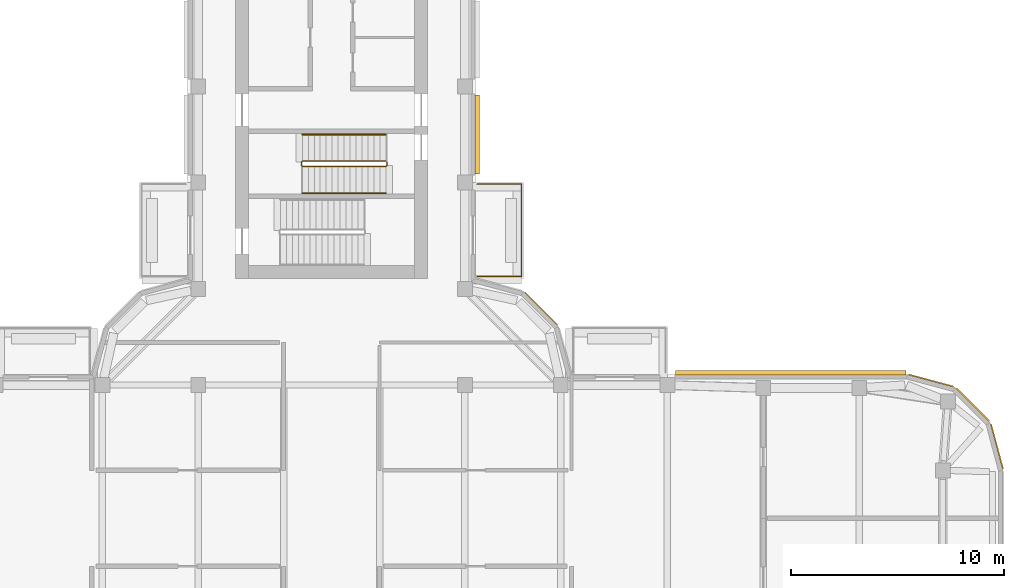
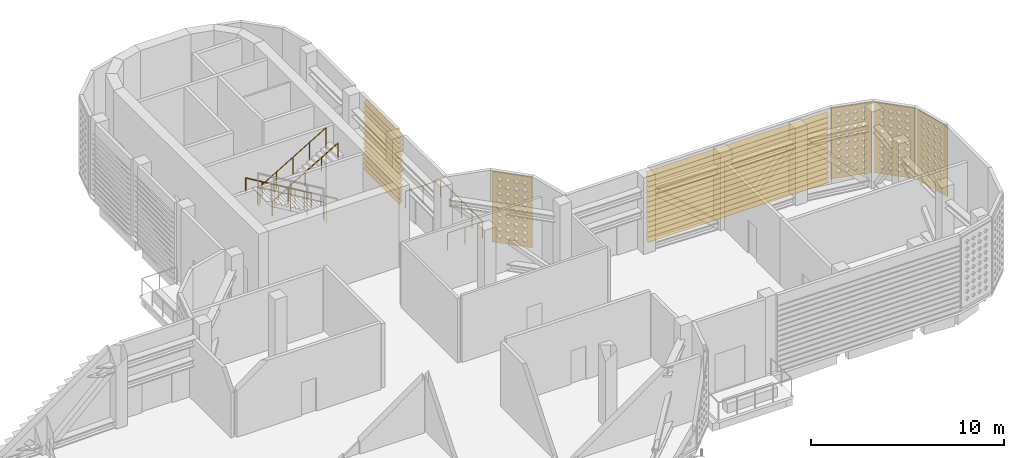
# One storey, part 18 of 20: 4 coverings, 4 railings, 2 shading devices.
"""IFC4 building model written with IfcOpenShell, lengths in metres."""

from ifc_helpers import new_model, si_unit, direction, frame, origin, origin_2d, place, context, subcontext, project, spatial, polyline, circle, outline, extrude, source, transform, mapped, material, layer, layer_set, type_object, element, save


model = new_model("IFC4")

# Units and contexts
model_context = context("Model", 3, precision=1e-05, world=origin(), true_north=direction((0.0, 1.0)))
body_context = subcontext(model_context, "Body", "Model", "MODEL_VIEW")
ifc_project = project(units=[si_unit("LENGTHUNIT", "METRE"), si_unit("AREAUNIT", "SQUARE_METRE"), si_unit("VOLUMEUNIT", "CUBIC_METRE"), si_unit("PLANEANGLEUNIT", "RADIAN"), si_unit("MASSUNIT", "GRAM", prefix="KILO")], contexts=[model_context])

# Site, building, storey
site_placement = place(None, origin())
site = spatial("IfcSite", under=ifc_project, at=site_placement, CompositionType="ELEMENT")
building_placement = place(site_placement, origin())
building = spatial("IfcBuilding", under=site, at=building_placement, Name="Zarbagh Exchange Tower", CompositionType="ELEMENT")
storey_placement = place(building_placement, frame((0.0, 0.0, 244.800048828125)))
storey = spatial("IfcBuildingStorey", under=building, at=storey_placement, Name="L60", CompositionType="ELEMENT", Elevation=244.800048828125)

# Railings
ifc_material_1 = material(Name="Stainless steel", Category="steel")
railing_type_1 = type_object("IfcRailingType", Name="Stair guard 1100 mm", PredefinedType="GUARDRAIL", material=ifc_material_1)
railing_1_placement = place(storey_placement, frame((2.550048828125, 16.75, 0.16650390625)))
element("IfcRailing", 1, at=railing_1_placement, inside=storey, type_object=railing_type_1, Name="ST1 stair guard 1", PredefinedType="GUARDRAIL", context=body_context, shape_type="SweptSolid", body=[
    extrude(circle(Radius=0.02392578125, at=origin_2d()), frame((0.0, 0.0, 1.076171875), z_axis=(-0.859286724212, 0.0, 0.511494208758), x_axis=(0.0, -1.0, 0.0)), (0.0, 0.0, 1.0), 4.56201171875),
    extrude(circle(Radius=0.02392578125, at=origin_2d()), frame((-3.920166015625, 0.0, 3.40966796875), z_axis=(-0.705375805398, -0.708833529934, 0.0), x_axis=(0.708833529934, -0.705375805398, 0.0)), (0.0, 0.0, 1.0), 0.070556640625),
    extrude(circle(Radius=0.02392578125, at=origin_2d()), frame((-3.969970703125, -0.050048828125, 3.40966796875), z_axis=(0.0, -1.0, 0.0), x_axis=(1.0, 0.0, 0.0)), (0.0, 0.0, 1.0), 0.14990234375),
    extrude(circle(Radius=0.02392578125, at=origin_2d()), frame((-3.969970703125, -0.199951171875, 3.40966796875), z_axis=(0.275382897532, -0.276732813696, 0.920642824102), x_axis=(0.708833529934, 0.705375805398, 0.0)), (0.0, 0.0, 1.0), 0.180908203125),
    extrude(circle(Radius=0.02392578125, at=origin_2d()), frame((-3.920166015625, -0.25, 3.576171875), z_axis=(0.859286724212, 0.0, 0.511494208758), x_axis=(0.0, 1.0, 0.0)), (0.0, 0.0, 1.0), 4.56201171875),
    extrude(circle(Radius=0.02392578125, at=origin_2d()), frame((0.0, -0.25, 5.90966796875), z_axis=(0.010008762843, 0.010008762843, -0.999899819648), x_axis=(-0.707106781187, 0.707106781187, 0.0)), (0.0, 0.0, 1.0), 5.00048828125),
    extrude(circle(Radius=0.02392578125, at=origin_2d()), frame((0.050048828125, -0.199951171875, 0.90966796875), z_axis=(0.0, 1.0, 0.0), x_axis=(-1.0, 0.0, 0.0)), (0.0, 0.0, 1.0), 0.14990234375),
    extrude(circle(Radius=0.02099609375, at=origin_2d()), origin(), (0.0, 0.0, 1.0), 1.052001953125),
    extrude(circle(Radius=0.02099609375, at=origin_2d()), frame((-0.97998046875, 0.0, 0.58349609375)), (0.0, 0.0, 1.0), 1.052001953125),
    extrude(circle(Radius=0.02099609375, at=origin_2d()), frame((-1.9599609375, 0.0, 1.166748046875)), (0.0, 0.0, 1.0), 1.052001953125),
    extrude(circle(Radius=0.02099609375, at=origin_2d()), frame((-2.940185546875, 0.0, 1.75)), (0.0, 0.0, 1.0), 1.052001953125),
    extrude(circle(Radius=0.02099609375, at=origin_2d()), frame((-3.920166015625, 0.0, 2.33349609375)), (0.0, 0.0, 1.0), 1.052001953125),
    extrude(circle(Radius=0.02099609375, at=origin_2d()), frame((-3.969970703125, -0.050048828125, 2.33349609375)), (0.0, 0.0, 1.0), 1.052001953125),
    extrude(circle(Radius=0.02099609375, at=origin_2d()), frame((-3.969970703125, -0.199951171875, 2.33349609375)), (0.0, 0.0, 1.0), 1.052001953125),
    extrude(circle(Radius=0.02099609375, at=origin_2d()), frame((-3.920166015625, -0.25, 2.5)), (0.0, 0.0, 1.0), 1.052001953125),
    extrude(circle(Radius=0.02099609375, at=origin_2d()), frame((-2.940185546875, -0.25, 3.08349609375)), (0.0, 0.0, 1.0), 1.052001953125),
    extrude(circle(Radius=0.02099609375, at=origin_2d()), frame((-1.9599609375, -0.25, 3.666748046875)), (0.0, 0.0, 1.0), 1.052001953125),
    extrude(circle(Radius=0.02099609375, at=origin_2d()), frame((-0.97998046875, -0.25, 4.25)), (0.0, 0.0, 1.0), 1.052001953125),
    extrude(circle(Radius=0.02099609375, at=origin_2d()), frame((0.0, -0.25, 4.83349609375)), (0.0, 0.0, 1.0), 1.052001953125),
    extrude(circle(Radius=0.02099609375, at=origin_2d()), frame((0.010009765625, -0.239990234375, 3.83349609375)), (0.0, 0.0, 1.0), 1.052001953125),
    extrude(circle(Radius=0.02099609375, at=origin_2d()), frame((0.02001953125, -0.22998046875, 2.83349609375)), (0.0, 0.0, 1.0), 1.052001953125),
    extrude(circle(Radius=0.02099609375, at=origin_2d()), frame((0.030029296875, -0.219970703125, 1.83349609375)), (0.0, 0.0, 1.0), 1.052001953125),
    extrude(circle(Radius=0.02099609375, at=origin_2d()), frame((0.0400390625, -0.2099609375, 0.83349609375)), (0.0, 0.0, 1.0), 1.052001953125),
    extrude(circle(Radius=0.02099609375, at=origin_2d()), frame((0.050048828125, -0.199951171875, -0.16650390625)), (0.0, 0.0, 1.0), 1.052001953125),
    extrude(circle(Radius=0.02099609375, at=origin_2d()), frame((0.050048828125, -0.050048828125, -0.16650390625)), (0.0, 0.0, 1.0), 1.052001953125),
])
railing_type_2 = type_object("IfcRailingType", Name="Stair handrail 900 mm", PredefinedType="HANDRAIL", material=ifc_material_1)
railing_2_placement = place(storey_placement, frame((2.550048828125, 18.0, 0.16650390625)))
element("IfcRailing", 2, at=railing_2_placement, inside=storey, type_object=railing_type_2, Name="ST1 stair handrail 1", PredefinedType="HANDRAIL", context=body_context, shape_type="SweptSolid", body=[
    extrude(circle(Radius=0.02392578125, at=origin_2d()), frame((0.0, 0.0, 0.8759765625), z_axis=(-0.859286724212, 0.0, 0.511494208758), x_axis=(0.0, -1.0, 0.0)), (0.0, 0.0, 1.0), 4.56201171875),
    extrude(circle(Radius=0.02099609375, at=origin_2d()), origin(), (0.0, 0.0, 1.0), 0.851806640625),
    extrude(circle(Radius=0.02099609375, at=origin_2d()), frame((-0.97998046875, 0.0, 0.58349609375)), (0.0, 0.0, 1.0), 0.851806640625),
    extrude(circle(Radius=0.02099609375, at=origin_2d()), frame((-1.9599609375, 0.0, 1.166748046875)), (0.0, 0.0, 1.0), 0.851806640625),
    extrude(circle(Radius=0.02099609375, at=origin_2d()), frame((-2.940185546875, 0.0, 1.75)), (0.0, 0.0, 1.0), 0.851806640625),
    extrude(circle(Radius=0.02099609375, at=origin_2d()), frame((-3.920166015625, 0.0, 2.33349609375)), (0.0, 0.0, 1.0), 0.851806640625),
])
railing_3_placement = place(storey_placement, frame((-1.3701171875, 15.25, 2.66650390625)))
element("IfcRailing", 3, at=railing_3_placement, inside=storey, type_object=railing_type_2, Name="ST1 stair handrail 2", PredefinedType="HANDRAIL", context=body_context, shape_type="SweptSolid", body=[
    extrude(circle(Radius=0.02392578125, at=origin_2d()), frame((0.0, 0.0, 0.8759765625), z_axis=(0.859286724212, 0.0, 0.511494208758), x_axis=(0.0, 1.0, 0.0)), (0.0, 0.0, 1.0), 4.56201171875),
    extrude(circle(Radius=0.02099609375, at=origin_2d()), origin(), (0.0, 0.0, 1.0), 0.851806640625),
    extrude(circle(Radius=0.02099609375, at=origin_2d()), frame((0.97998046875, 0.0, 0.58349609375)), (0.0, 0.0, 1.0), 0.851806640625),
    extrude(circle(Radius=0.02099609375, at=origin_2d()), frame((1.9599609375, 0.0, 1.166748046875)), (0.0, 0.0, 1.0), 0.851806640625),
    extrude(circle(Radius=0.02099609375, at=origin_2d()), frame((2.940185546875, 0.0, 1.75)), (0.0, 0.0, 1.0), 0.851806640625),
    extrude(circle(Radius=0.02099609375, at=origin_2d()), frame((3.920166015625, 0.0, 2.33349609375)), (0.0, 0.0, 1.0), 0.851806640625),
])
ifc_material_2 = material(Name="Stainless steel and laminated glass", Category="steel")
railing_type_3 = type_object("IfcRailingType", Name="Terrace guard, glass balustrade 1.1 m", PredefinedType="GUARDRAIL", material=ifc_material_2)
railing_4_placement = place(storey_placement, frame((6.830078125, 15.669921875, 0.0)))
element("IfcRailing", 4, at=railing_4_placement, inside=storey, type_object=railing_type_3, Name="TG01 terrace guard", PredefinedType="GUARDRAIL", context=body_context, shape_type="SweptSolid", body=[
    extrude(circle(Radius=0.02490234375, at=origin_2d()), frame((0.0, 0.0, 1.0751953125), z_axis=(1.0, 0.0, 0.0), x_axis=(0.0, 1.0, 0.0)), (0.0, 0.0, 1.0), 2.08984375),
    extrude(circle(Radius=0.02490234375, at=origin_2d()), frame((2.08984375, 0.0, 1.0751953125), z_axis=(0.0, -1.0, 0.0), x_axis=(1.0, 0.0, 0.0)), (0.0, 0.0, 1.0), 4.33984375),
    extrude(circle(Radius=0.02490234375, at=origin_2d()), frame((2.08984375, -4.33984375, 1.0751953125), z_axis=(-1.0, 0.0, 0.0), x_axis=(0.0, -1.0, 0.0)), (0.0, 0.0, 1.0), 2.08984375),
    extrude(circle(Radius=0.02490234375, at=origin_2d()), origin(), (0.0, 0.0, 1.0), 1.050048828125),
    extrude(circle(Radius=0.02490234375, at=origin_2d()), frame((1.044921875, 0.0, 0.0)), (0.0, 0.0, 1.0), 1.050048828125),
    extrude(circle(Radius=0.02490234375, at=origin_2d()), frame((2.08984375, 0.0, 0.0)), (0.0, 0.0, 1.0), 1.050048828125),
    extrude(circle(Radius=0.02490234375, at=origin_2d()), frame((2.08984375, -1.0849609375, 0.0)), (0.0, 0.0, 1.0), 1.050048828125),
    extrude(circle(Radius=0.02490234375, at=origin_2d()), frame((2.08984375, -2.169921875, 0.0)), (0.0, 0.0, 1.0), 1.050048828125),
    extrude(circle(Radius=0.02490234375, at=origin_2d()), frame((2.08984375, -3.2548828125, 0.0)), (0.0, 0.0, 1.0), 1.050048828125),
    extrude(circle(Radius=0.02490234375, at=origin_2d()), frame((2.08984375, -4.33984375, 0.0)), (0.0, 0.0, 1.0), 1.050048828125),
    extrude(circle(Radius=0.02490234375, at=origin_2d()), frame((1.044921875, -4.33984375, 0.0)), (0.0, 0.0, 1.0), 1.050048828125),
    extrude(circle(Radius=0.02490234375, at=origin_2d()), frame((0.0, -4.33984375, 0.0)), (0.0, 0.0, 1.0), 1.050048828125),
])

# Coverings
ifc_material_3 = material(Name="Glass-fibre reinforced concrete GFRC C50/60", Category="concrete")
ifc_layer = layer(ifc_material_3, 0.06005859375)
ifc_layer_set = layer_set([ifc_layer], Name="SCREEN jali panel, GFRC")
covering_type = type_object("IfcCoveringType", Name="SCREEN jali panel, GFRC", PredefinedType="CLADDING", material=ifc_layer_set)
shared_shape_1 = source(origin(), body_context, "Body", "SweptSolid", [
    extrude(outline(polyline([(0.0, 0.0), (2.1650390625, 0.0), (2.1650390625, 4.449951171875), (0.0, 4.449951171875), (0.0, 0.0)]), holes=[polyline([(0.257568359375, 0.425048828125), (0.407470703125, 0.27490234375), (0.5576171875, 0.425048828125), (0.407470703125, 0.574951171875), (0.257568359375, 0.425048828125)]), polyline([(0.257568359375, 0.875), (0.407470703125, 0.72509765625), (0.5576171875, 0.875), (0.407470703125, 1.02490234375), (0.257568359375, 0.875)]), polyline([(0.257568359375, 1.324951171875), (0.407470703125, 1.175048828125), (0.5576171875, 1.324951171875), (0.407470703125, 1.47509765625), (0.257568359375, 1.324951171875)]), polyline([(0.257568359375, 1.77490234375), (0.407470703125, 1.625), (0.5576171875, 1.77490234375), (0.407470703125, 1.925048828125), (0.257568359375, 1.77490234375)]), polyline([(0.257568359375, 2.22509765625), (0.407470703125, 2.074951171875), (0.5576171875, 2.22509765625), (0.407470703125, 2.375), (0.257568359375, 2.22509765625)]), polyline([(0.257568359375, 2.675048828125), (0.407470703125, 2.52490234375), (0.5576171875, 2.675048828125), (0.407470703125, 2.824951171875), (0.257568359375, 2.675048828125)]), polyline([(0.257568359375, 3.125), (0.407470703125, 2.97509765625), (0.5576171875, 3.125), (0.407470703125, 3.27490234375), (0.257568359375, 3.125)]), polyline([(0.257568359375, 3.574951171875), (0.407470703125, 3.425048828125), (0.5576171875, 3.574951171875), (0.407470703125, 3.72509765625), (0.257568359375, 3.574951171875)]), polyline([(0.257568359375, 4.02490234375), (0.407470703125, 3.875), (0.5576171875, 4.02490234375), (0.407470703125, 4.175048828125), (0.257568359375, 4.02490234375)]), polyline([(0.70751953125, 0.425048828125), (0.857421875, 0.27490234375), (1.007568359375, 0.425048828125), (0.857421875, 0.574951171875), (0.70751953125, 0.425048828125)]), polyline([(0.70751953125, 0.875), (0.857421875, 0.72509765625), (1.007568359375, 0.875), (0.857421875, 1.02490234375), (0.70751953125, 0.875)]), polyline([(0.70751953125, 1.324951171875), (0.857421875, 1.175048828125), (1.007568359375, 1.324951171875), (0.857421875, 1.47509765625), (0.70751953125, 1.324951171875)]), polyline([(0.70751953125, 1.77490234375), (0.857421875, 1.625), (1.007568359375, 1.77490234375), (0.857421875, 1.925048828125), (0.70751953125, 1.77490234375)]), polyline([(0.70751953125, 2.22509765625), (0.857421875, 2.074951171875), (1.007568359375, 2.22509765625), (0.857421875, 2.375), (0.70751953125, 2.22509765625)]), polyline([(0.70751953125, 2.675048828125), (0.857421875, 2.52490234375), (1.007568359375, 2.675048828125), (0.857421875, 2.824951171875), (0.70751953125, 2.675048828125)]), polyline([(0.70751953125, 3.125), (0.857421875, 2.97509765625), (1.007568359375, 3.125), (0.857421875, 3.27490234375), (0.70751953125, 3.125)]), polyline([(0.70751953125, 3.574951171875), (0.857421875, 3.425048828125), (1.007568359375, 3.574951171875), (0.857421875, 3.72509765625), (0.70751953125, 3.574951171875)]), polyline([(0.70751953125, 4.02490234375), (0.857421875, 3.875), (1.007568359375, 4.02490234375), (0.857421875, 4.175048828125), (0.70751953125, 4.02490234375)]), polyline([(1.157470703125, 0.425048828125), (1.3076171875, 0.27490234375), (1.45751953125, 0.425048828125), (1.3076171875, 0.574951171875), (1.157470703125, 0.425048828125)]), polyline([(1.157470703125, 0.875), (1.3076171875, 0.72509765625), (1.45751953125, 0.875), (1.3076171875, 1.02490234375), (1.157470703125, 0.875)]), polyline([(1.157470703125, 1.324951171875), (1.3076171875, 1.175048828125), (1.45751953125, 1.324951171875), (1.3076171875, 1.47509765625), (1.157470703125, 1.324951171875)]), polyline([(1.157470703125, 1.77490234375), (1.3076171875, 1.625), (1.45751953125, 1.77490234375), (1.3076171875, 1.925048828125), (1.157470703125, 1.77490234375)]), polyline([(1.157470703125, 2.22509765625), (1.3076171875, 2.074951171875), (1.45751953125, 2.22509765625), (1.3076171875, 2.375), (1.157470703125, 2.22509765625)]), polyline([(1.157470703125, 2.675048828125), (1.3076171875, 2.52490234375), (1.45751953125, 2.675048828125), (1.3076171875, 2.824951171875), (1.157470703125, 2.675048828125)]), polyline([(1.157470703125, 3.125), (1.3076171875, 2.97509765625), (1.45751953125, 3.125), (1.3076171875, 3.27490234375), (1.157470703125, 3.125)]), polyline([(1.157470703125, 3.574951171875), (1.3076171875, 3.425048828125), (1.45751953125, 3.574951171875), (1.3076171875, 3.72509765625), (1.157470703125, 3.574951171875)]), polyline([(1.157470703125, 4.02490234375), (1.3076171875, 3.875), (1.45751953125, 4.02490234375), (1.3076171875, 4.175048828125), (1.157470703125, 4.02490234375)]), polyline([(1.607421875, 0.425048828125), (1.757568359375, 0.27490234375), (1.907470703125, 0.425048828125), (1.757568359375, 0.574951171875), (1.607421875, 0.425048828125)]), polyline([(1.607421875, 0.875), (1.757568359375, 0.72509765625), (1.907470703125, 0.875), (1.757568359375, 1.02490234375), (1.607421875, 0.875)]), polyline([(1.607421875, 1.324951171875), (1.757568359375, 1.175048828125), (1.907470703125, 1.324951171875), (1.757568359375, 1.47509765625), (1.607421875, 1.324951171875)]), polyline([(1.607421875, 1.77490234375), (1.757568359375, 1.625), (1.907470703125, 1.77490234375), (1.757568359375, 1.925048828125), (1.607421875, 1.77490234375)]), polyline([(1.607421875, 2.22509765625), (1.757568359375, 2.074951171875), (1.907470703125, 2.22509765625), (1.757568359375, 2.375), (1.607421875, 2.22509765625)]), polyline([(1.607421875, 2.675048828125), (1.757568359375, 2.52490234375), (1.907470703125, 2.675048828125), (1.757568359375, 2.824951171875), (1.607421875, 2.675048828125)]), polyline([(1.607421875, 3.125), (1.757568359375, 2.97509765625), (1.907470703125, 3.125), (1.757568359375, 3.27490234375), (1.607421875, 3.125)]), polyline([(1.607421875, 3.574951171875), (1.757568359375, 3.425048828125), (1.907470703125, 3.574951171875), (1.757568359375, 3.72509765625), (1.607421875, 3.574951171875)]), polyline([(1.607421875, 4.02490234375), (1.757568359375, 3.875), (1.907470703125, 4.02490234375), (1.757568359375, 4.175048828125), (1.607421875, 4.02490234375)])]), origin(), (0.0, 0.0, 1.0), 0.06005859375),
])
placement = place(storey_placement, origin())
element("IfcCovering", 5, at=placement, inside=storey, type_object=covering_type, Name="JS46 jali screen", PredefinedType="CLADDING", context=body_context, shape_type="MappedRepresentation", body=[
    mapped(shared_shape_1, transform((30.824951171875, 4.5439453125, 0.199951171875), x_axis=(-0.707106781187, 0.707106781187, 0.0), y_axis=(0.0, 0.0, 1.0), z_axis=(0.707106781187, 0.707106781187, 0.0))),
])
element("IfcCovering", 6, at=placement, inside=storey, type_object=covering_type, Name="JS15 jali screen", PredefinedType="CLADDING", context=body_context, shape_type="MappedRepresentation", body=[
    mapped(shared_shape_1, transform((10.574951171875, 9.0439453125, 0.199951171875), x_axis=(-0.707106781187, 0.707106781187, 0.0), y_axis=(0.0, 0.0, 1.0), z_axis=(0.707106781187, 0.707106781187, 0.0))),
])
shared_shape_2 = source(origin(), body_context, "Body", "SweptSolid", [
    extrude(outline(polyline([(0.0, 0.0), (2.181396484375, 0.0), (2.181396484375, 4.449951171875), (0.0, 4.449951171875), (0.0, 0.0)]), holes=[polyline([(0.265625, 0.425048828125), (0.415771484375, 0.27490234375), (0.565673828125, 0.425048828125), (0.415771484375, 0.574951171875), (0.265625, 0.425048828125)]), polyline([(0.265625, 0.875), (0.415771484375, 0.72509765625), (0.565673828125, 0.875), (0.415771484375, 1.02490234375), (0.265625, 0.875)]), polyline([(0.265625, 1.324951171875), (0.415771484375, 1.175048828125), (0.565673828125, 1.324951171875), (0.415771484375, 1.47509765625), (0.265625, 1.324951171875)]), polyline([(0.265625, 1.77490234375), (0.415771484375, 1.625), (0.565673828125, 1.77490234375), (0.415771484375, 1.925048828125), (0.265625, 1.77490234375)]), polyline([(0.265625, 2.22509765625), (0.415771484375, 2.074951171875), (0.565673828125, 2.22509765625), (0.415771484375, 2.375), (0.265625, 2.22509765625)]), polyline([(0.265625, 2.675048828125), (0.415771484375, 2.52490234375), (0.565673828125, 2.675048828125), (0.415771484375, 2.824951171875), (0.265625, 2.675048828125)]), polyline([(0.265625, 3.125), (0.415771484375, 2.97509765625), (0.565673828125, 3.125), (0.415771484375, 3.27490234375), (0.265625, 3.125)]), polyline([(0.265625, 3.574951171875), (0.415771484375, 3.425048828125), (0.565673828125, 3.574951171875), (0.415771484375, 3.72509765625), (0.265625, 3.574951171875)]), polyline([(0.265625, 4.02490234375), (0.415771484375, 3.875), (0.565673828125, 4.02490234375), (0.415771484375, 4.175048828125), (0.265625, 4.02490234375)]), polyline([(0.7158203125, 0.425048828125), (0.86572265625, 0.27490234375), (1.015625, 0.425048828125), (0.86572265625, 0.574951171875), (0.7158203125, 0.425048828125)]), polyline([(0.7158203125, 0.875), (0.86572265625, 0.72509765625), (1.015625, 0.875), (0.86572265625, 1.02490234375), (0.7158203125, 0.875)]), polyline([(0.7158203125, 1.324951171875), (0.86572265625, 1.175048828125), (1.015625, 1.324951171875), (0.86572265625, 1.47509765625), (0.7158203125, 1.324951171875)]), polyline([(0.7158203125, 1.77490234375), (0.86572265625, 1.625), (1.015625, 1.77490234375), (0.86572265625, 1.925048828125), (0.7158203125, 1.77490234375)]), polyline([(0.7158203125, 2.22509765625), (0.86572265625, 2.074951171875), (1.015625, 2.22509765625), (0.86572265625, 2.375), (0.7158203125, 2.22509765625)]), polyline([(0.7158203125, 2.675048828125), (0.86572265625, 2.52490234375), (1.015625, 2.675048828125), (0.86572265625, 2.824951171875), (0.7158203125, 2.675048828125)]), polyline([(0.7158203125, 3.125), (0.86572265625, 2.97509765625), (1.015625, 3.125), (0.86572265625, 3.27490234375), (0.7158203125, 3.125)]), polyline([(0.7158203125, 3.574951171875), (0.86572265625, 3.425048828125), (1.015625, 3.574951171875), (0.86572265625, 3.72509765625), (0.7158203125, 3.574951171875)]), polyline([(0.7158203125, 4.02490234375), (0.86572265625, 3.875), (1.015625, 4.02490234375), (0.86572265625, 4.175048828125), (0.7158203125, 4.02490234375)]), polyline([(1.165771484375, 0.425048828125), (1.315673828125, 0.27490234375), (1.4658203125, 0.425048828125), (1.315673828125, 0.574951171875), (1.165771484375, 0.425048828125)]), polyline([(1.165771484375, 0.875), (1.315673828125, 0.72509765625), (1.4658203125, 0.875), (1.315673828125, 1.02490234375), (1.165771484375, 0.875)]), polyline([(1.165771484375, 1.324951171875), (1.315673828125, 1.175048828125), (1.4658203125, 1.324951171875), (1.315673828125, 1.47509765625), (1.165771484375, 1.324951171875)]), polyline([(1.165771484375, 1.77490234375), (1.315673828125, 1.625), (1.4658203125, 1.77490234375), (1.315673828125, 1.925048828125), (1.165771484375, 1.77490234375)]), polyline([(1.165771484375, 2.22509765625), (1.315673828125, 2.074951171875), (1.4658203125, 2.22509765625), (1.315673828125, 2.375), (1.165771484375, 2.22509765625)]), polyline([(1.165771484375, 2.675048828125), (1.315673828125, 2.52490234375), (1.4658203125, 2.675048828125), (1.315673828125, 2.824951171875), (1.165771484375, 2.675048828125)]), polyline([(1.165771484375, 3.125), (1.315673828125, 2.97509765625), (1.4658203125, 3.125), (1.315673828125, 3.27490234375), (1.165771484375, 3.125)]), polyline([(1.165771484375, 3.574951171875), (1.315673828125, 3.425048828125), (1.4658203125, 3.574951171875), (1.315673828125, 3.72509765625), (1.165771484375, 3.574951171875)]), polyline([(1.165771484375, 4.02490234375), (1.315673828125, 3.875), (1.4658203125, 4.02490234375), (1.315673828125, 4.175048828125), (1.165771484375, 4.02490234375)]), polyline([(1.61572265625, 0.425048828125), (1.765625, 0.27490234375), (1.915771484375, 0.425048828125), (1.765625, 0.574951171875), (1.61572265625, 0.425048828125)]), polyline([(1.61572265625, 0.875), (1.765625, 0.72509765625), (1.915771484375, 0.875), (1.765625, 1.02490234375), (1.61572265625, 0.875)]), polyline([(1.61572265625, 1.324951171875), (1.765625, 1.175048828125), (1.915771484375, 1.324951171875), (1.765625, 1.47509765625), (1.61572265625, 1.324951171875)]), polyline([(1.61572265625, 1.77490234375), (1.765625, 1.625), (1.915771484375, 1.77490234375), (1.765625, 1.925048828125), (1.61572265625, 1.77490234375)]), polyline([(1.61572265625, 2.22509765625), (1.765625, 2.074951171875), (1.915771484375, 2.22509765625), (1.765625, 2.375), (1.61572265625, 2.22509765625)]), polyline([(1.61572265625, 2.675048828125), (1.765625, 2.52490234375), (1.915771484375, 2.675048828125), (1.765625, 2.824951171875), (1.61572265625, 2.675048828125)]), polyline([(1.61572265625, 3.125), (1.765625, 2.97509765625), (1.915771484375, 3.125), (1.765625, 3.27490234375), (1.61572265625, 3.125)]), polyline([(1.61572265625, 3.574951171875), (1.765625, 3.425048828125), (1.915771484375, 3.574951171875), (1.765625, 3.72509765625), (1.61572265625, 3.574951171875)]), polyline([(1.61572265625, 4.02490234375), (1.765625, 3.875), (1.915771484375, 4.02490234375), (1.765625, 4.175048828125), (1.61572265625, 4.02490234375)])]), origin(), (0.0, 0.0, 1.0), 0.06005859375),
])
element("IfcCovering", 7, at=placement, inside=storey, type_object=covering_type, Name="JS45 jali screen", PredefinedType="CLADDING", context=body_context, shape_type="MappedRepresentation", body=[
    mapped(shared_shape_2, transform((31.463623046875, 2.308349609375, 0.199951171875), x_axis=(-0.258825057666, 0.965924215207, 0.0), y_axis=(0.0, 0.0, 1.0), z_axis=(0.965924215207, 0.258825057666, 0.0))),
])
element("IfcCovering", 8, at=placement, inside=storey, type_object=covering_type, Name="JS47 jali screen", PredefinedType="CLADDING", context=body_context, shape_type="MappedRepresentation", body=[
    mapped(shared_shape_2, transform((29.16552734375, 6.14892578125, 0.199951171875), x_axis=(-0.965924215207, 0.258825057666, 0.0), y_axis=(0.0, 0.0, 1.0), z_axis=(0.258825057666, 0.965924215207, 0.0))),
])

# Shading devices
ifc_material_4 = material(Name="Anodised aluminium", Category="aluminium")
shading_device_type = type_object("IfcShadingDeviceType", Name="LOUVRE plant louvre, fixed blades", PredefinedType="USERDEFINED", material=ifc_material_4)
shared_shape_3 = source(origin(), body_context, "Body", "SweptSolid", [
    extrude(outline(polyline([(0.0, 0.199951171875), (0.199951171875, 0.0), (0.199951171875, -0.02001953125), (0.0, 0.179931640625), (0.0, 0.199951171875)])), origin(), (0.0, 0.0, 1.0), 3.719970703125),
])
element("IfcShadingDevice", 9, at=placement, inside=storey, type_object=shading_device_type, Name="LV17 plant louvre", ObjectType="LOUVRE", PredefinedType="USERDEFINED", context=body_context, shape_type="MappedRepresentation", body=[
    mapped(shared_shape_3, transform((6.72998046875, 16.14013671875, 0.199951171875), x_axis=(1.0, 0.0, 0.0), y_axis=(0.0, 0.0, -1.0), z_axis=(0.0, 1.0, 0.0))),
    mapped(shared_shape_3, transform((6.72998046875, 16.14013671875, 0.517822265625), x_axis=(1.0, 0.0, 0.0), y_axis=(0.0, 0.0, -1.0), z_axis=(0.0, 1.0, 0.0))),
    mapped(shared_shape_3, transform((6.72998046875, 16.14013671875, 0.835693359375), x_axis=(1.0, 0.0, 0.0), y_axis=(0.0, 0.0, -1.0), z_axis=(0.0, 1.0, 0.0))),
    mapped(shared_shape_3, transform((6.72998046875, 16.14013671875, 1.153564453125), x_axis=(1.0, 0.0, 0.0), y_axis=(0.0, 0.0, -1.0), z_axis=(0.0, 1.0, 0.0))),
    mapped(shared_shape_3, transform((6.72998046875, 16.14013671875, 1.471435546875), x_axis=(1.0, 0.0, 0.0), y_axis=(0.0, 0.0, -1.0), z_axis=(0.0, 1.0, 0.0))),
    mapped(shared_shape_3, transform((6.72998046875, 16.14013671875, 1.789306640625), x_axis=(1.0, 0.0, 0.0), y_axis=(0.0, 0.0, -1.0), z_axis=(0.0, 1.0, 0.0))),
    mapped(shared_shape_3, transform((6.72998046875, 16.14013671875, 2.107177734375), x_axis=(1.0, 0.0, 0.0), y_axis=(0.0, 0.0, -1.0), z_axis=(0.0, 1.0, 0.0))),
    mapped(shared_shape_3, transform((6.72998046875, 16.14013671875, 2.425048828125), x_axis=(1.0, 0.0, 0.0), y_axis=(0.0, 0.0, -1.0), z_axis=(0.0, 1.0, 0.0))),
    mapped(shared_shape_3, transform((6.72998046875, 16.14013671875, 2.742919921875), x_axis=(1.0, 0.0, 0.0), y_axis=(0.0, 0.0, -1.0), z_axis=(0.0, 1.0, 0.0))),
    mapped(shared_shape_3, transform((6.72998046875, 16.14013671875, 3.060546875), x_axis=(1.0, 0.0, 0.0), y_axis=(0.0, 0.0, -1.0), z_axis=(0.0, 1.0, 0.0))),
    mapped(shared_shape_3, transform((6.72998046875, 16.14013671875, 3.37841796875), x_axis=(1.0, 0.0, 0.0), y_axis=(0.0, 0.0, -1.0), z_axis=(0.0, 1.0, 0.0))),
    mapped(shared_shape_3, transform((6.72998046875, 16.14013671875, 3.6962890625), x_axis=(1.0, 0.0, 0.0), y_axis=(0.0, 0.0, -1.0), z_axis=(0.0, 1.0, 0.0))),
    mapped(shared_shape_3, transform((6.72998046875, 16.14013671875, 4.01416015625), x_axis=(1.0, 0.0, 0.0), y_axis=(0.0, 0.0, -1.0), z_axis=(0.0, 1.0, 0.0))),
    mapped(shared_shape_3, transform((6.72998046875, 16.14013671875, 4.33203125), x_axis=(1.0, 0.0, 0.0), y_axis=(0.0, 0.0, -1.0), z_axis=(0.0, 1.0, 0.0))),
])
shared_shape_4 = source(origin(), body_context, "Body", "SweptSolid", [
    extrude(outline(polyline([(0.0, 0.199951171875), (0.199951171875, 0.0), (0.199951171875, -0.02001953125), (0.0, 0.179931640625), (0.0, 0.199951171875)])), origin(), (0.0, 0.0, 1.0), 10.794189453125),
])
element("IfcShadingDevice", 10, at=placement, inside=storey, type_object=shading_device_type, Name="LV10 plant louvre", ObjectType="LOUVRE", PredefinedType="USERDEFINED", context=body_context, shape_type="MappedRepresentation", body=[
    mapped(shared_shape_4, transform((26.93408203125, 6.72998046875, 0.199951171875), x_axis=(0.0, 1.0, 0.0), y_axis=(0.0, 0.0, -1.0), z_axis=(-1.0, 0.0, 0.0))),
    mapped(shared_shape_4, transform((26.93408203125, 6.72998046875, 0.517822265625), x_axis=(0.0, 1.0, 0.0), y_axis=(0.0, 0.0, -1.0), z_axis=(-1.0, 0.0, 0.0))),
    mapped(shared_shape_4, transform((26.93408203125, 6.72998046875, 0.835693359375), x_axis=(0.0, 1.0, 0.0), y_axis=(0.0, 0.0, -1.0), z_axis=(-1.0, 0.0, 0.0))),
    mapped(shared_shape_4, transform((26.93408203125, 6.72998046875, 1.153564453125), x_axis=(0.0, 1.0, 0.0), y_axis=(0.0, 0.0, -1.0), z_axis=(-1.0, 0.0, 0.0))),
    mapped(shared_shape_4, transform((26.93408203125, 6.72998046875, 1.471435546875), x_axis=(0.0, 1.0, 0.0), y_axis=(0.0, 0.0, -1.0), z_axis=(-1.0, 0.0, 0.0))),
    mapped(shared_shape_4, transform((26.93408203125, 6.72998046875, 1.789306640625), x_axis=(0.0, 1.0, 0.0), y_axis=(0.0, 0.0, -1.0), z_axis=(-1.0, 0.0, 0.0))),
    mapped(shared_shape_4, transform((26.93408203125, 6.72998046875, 2.107177734375), x_axis=(0.0, 1.0, 0.0), y_axis=(0.0, 0.0, -1.0), z_axis=(-1.0, 0.0, 0.0))),
    mapped(shared_shape_4, transform((26.93408203125, 6.72998046875, 2.425048828125), x_axis=(0.0, 1.0, 0.0), y_axis=(0.0, 0.0, -1.0), z_axis=(-1.0, 0.0, 0.0))),
    mapped(shared_shape_4, transform((26.93408203125, 6.72998046875, 2.742919921875), x_axis=(0.0, 1.0, 0.0), y_axis=(0.0, 0.0, -1.0), z_axis=(-1.0, 0.0, 0.0))),
    mapped(shared_shape_4, transform((26.93408203125, 6.72998046875, 3.060546875), x_axis=(0.0, 1.0, 0.0), y_axis=(0.0, 0.0, -1.0), z_axis=(-1.0, 0.0, 0.0))),
    mapped(shared_shape_4, transform((26.93408203125, 6.72998046875, 3.37841796875), x_axis=(0.0, 1.0, 0.0), y_axis=(0.0, 0.0, -1.0), z_axis=(-1.0, 0.0, 0.0))),
    mapped(shared_shape_4, transform((26.93408203125, 6.72998046875, 3.6962890625), x_axis=(0.0, 1.0, 0.0), y_axis=(0.0, 0.0, -1.0), z_axis=(-1.0, 0.0, 0.0))),
    mapped(shared_shape_4, transform((26.93408203125, 6.72998046875, 4.01416015625), x_axis=(0.0, 1.0, 0.0), y_axis=(0.0, 0.0, -1.0), z_axis=(-1.0, 0.0, 0.0))),
    mapped(shared_shape_4, transform((26.93408203125, 6.72998046875, 4.33203125), x_axis=(0.0, 1.0, 0.0), y_axis=(0.0, 0.0, -1.0), z_axis=(-1.0, 0.0, 0.0))),
])

save(model, "model.ifc")
